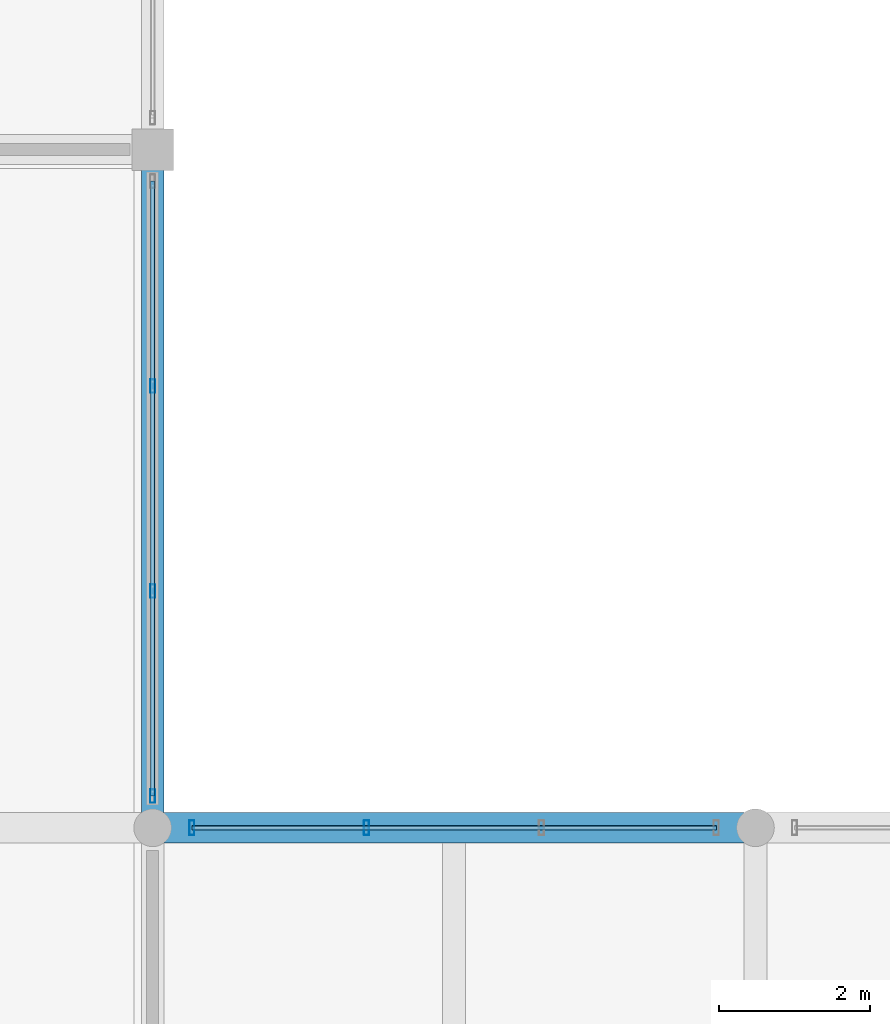
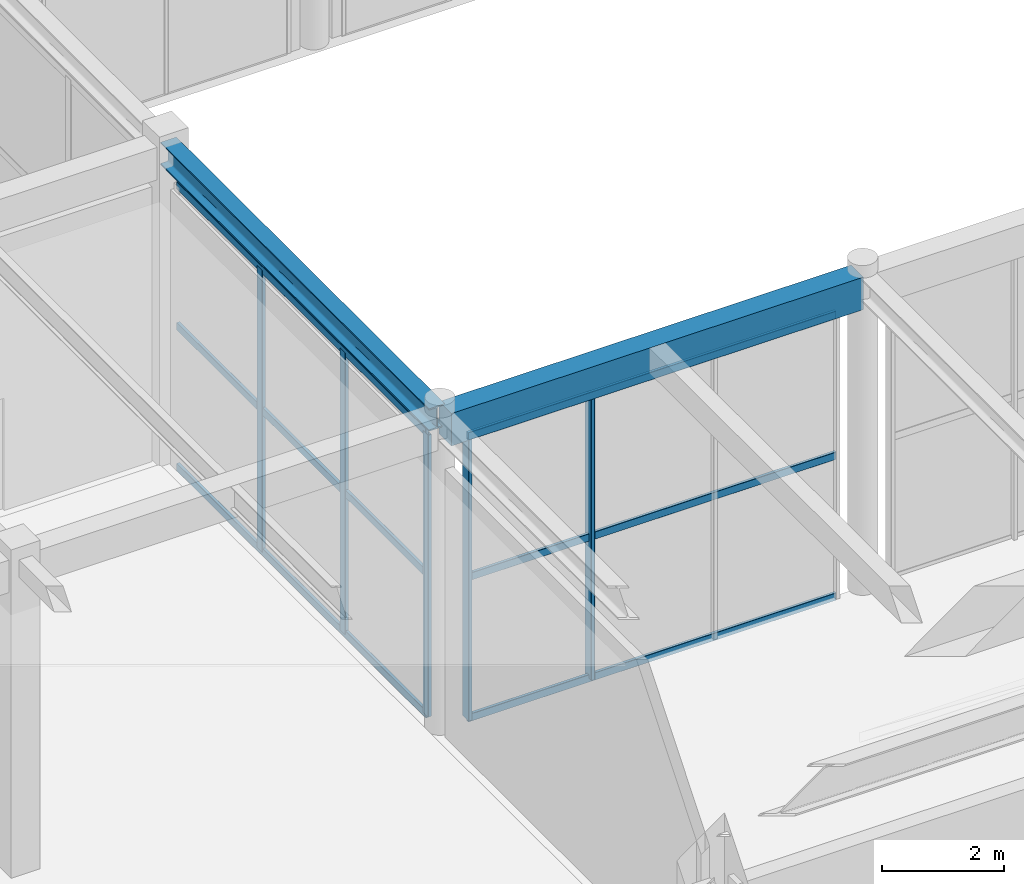
# One storey, part 64 of 163: 11 members, 2 beams, 2 elements without a shape of their own.
"""IFC4 building model written with IfcOpenShell, lengths in metres."""

from ifc_helpers import new_model, si_unit, direction, frame, origin, origin_2d, place, context, subcontext, project, spatial, rectangle, hollow_rectangle, i_section, extrude, material, material_profile, profile_set, type_object, element, aggregate, save


model = new_model("IFC4")

# Units and contexts
model_context = context("Model", 3, precision=1e-05, world=origin(), true_north=direction((0.0, 1.0)))
body_context = subcontext(model_context, "Body", "Model", "MODEL_VIEW")
ifc_project = project(units=[si_unit("LENGTHUNIT", "METRE"), si_unit("AREAUNIT", "SQUARE_METRE"), si_unit("VOLUMEUNIT", "CUBIC_METRE"), si_unit("PLANEANGLEUNIT", "RADIAN"), si_unit("MASSUNIT", "GRAM", prefix="KILO")], contexts=[model_context])

# Site, building, storey
site_placement = place(None, origin())
site = spatial("IfcSite", under=ifc_project, at=site_placement, CompositionType="ELEMENT")
building_placement = place(site_placement, origin())
building = spatial("IfcBuilding", under=site, at=building_placement, Name="Varnabhumi Central Station", CompositionType="ELEMENT")
storey_placement = place(building_placement, frame((0.0, 0.0, 9.60009765625)))
storey = spatial("IfcBuildingStorey", under=building, at=storey_placement, Name="L02", CompositionType="ELEMENT", Elevation=9.60009765625)

# Beams
ifc_material_1 = material(Name="Concrete M40", Category="concrete")
ifc_material_profile_1 = material_profile(ifc_material_1, rectangle(XDim=0.39990234375, YDim=0.64990234375, at=origin_2d()), Name="Concrete M40", Category="concrete")
ifc_profile_set_1 = profile_set([ifc_material_profile_1], Name="Concrete M40")
beam_type_1 = type_object("IfcBeamType", Name="BM-RC-400x650", PredefinedType="BEAM", material=ifc_profile_set_1)
beam_1_placement = place(storey_placement, frame((48.10009765625, 89.0, 6.02490234375), z_axis=(1.0, 0.0, 0.0), x_axis=(0.0, 1.0, 0.0)))
element("IfcBeam", 1, at=beam_1_placement, inside=storey, type_object=beam_type_1, Name="Beam L02-L:7-8", PredefinedType="BEAM", context=body_context, shape_type="SweptSolid", body=[
    extrude(rectangle(XDim=0.39990234375, YDim=0.64990234375, at=origin_2d()), origin(), (0.0, 0.0, 1.0), 7.7998046875),
])
ifc_material_2 = material(Name="Structural steel E350", Category="steel")
ifc_material_profile_2 = material_profile(ifc_material_2, i_section(OverallWidth=0.300048828125, OverallDepth=0.449951171875, WebThickness=0.013916015625, FlangeThickness=0.02587890625, FilletRadius=0.027099609375, at=origin_2d()), Name="Structural steel E350", Category="steel")
ifc_profile_set_2 = profile_set([ifc_material_profile_2], Name="Structural steel E350")
beam_type_2 = type_object("IfcBeamType", Name="BM-STL-WPB450", PredefinedType="BEAM", material=ifc_profile_set_2)
beam_2_placement = place(storey_placement, frame((48.0, 89.10009765625, 6.125), z_axis=(0.0, 1.0, 0.0), x_axis=(-1.0, 0.0, 0.0)))
element("IfcBeam", 2, at=beam_2_placement, inside=storey, type_object=beam_type_2, Name="Beam L02-7:L-M", PredefinedType="BEAM", context=body_context, shape_type="SweptSolid", body=[
    extrude(i_section(OverallWidth=0.300048828125, OverallDepth=0.449951171875, WebThickness=0.013916015625, FlangeThickness=0.02587890625, FilletRadius=0.027099609375, at=origin_2d()), origin(), (0.0, 0.0, 1.0), 8.7998046875),
])

# Curtain wall, members
ifc_material_3 = material(Name="Anodised aluminium 6063-T6", Category="aluminium")
curtain_wall_type = type_object("IfcCurtainWallType", Name="CW-PATIO-LOGGIA-L2", PredefinedType="NOTDEFINED", material=ifc_material_3)
curtain_wall_1_placement = place(storey_placement, origin())
curtain_wall_1 = element("IfcCurtainWall", 3, at=curtain_wall_1_placement, inside=storey, type_object=curtain_wall_type, Name="Curtain Wall CW-NP2E1", PredefinedType="NOTDEFINED")
ifc_material_profile_3 = material_profile(ifc_material_3, hollow_rectangle(XDim=0.06494140625, YDim=0.179931640625, WallThickness=0.00390625, InnerFilletRadius=0.001953125, OuterFilletRadius=0.006103515625, at=origin_2d()), Name="Anodised aluminium 6063-T6", Category="aluminium")
ifc_profile_set_3 = profile_set([ifc_material_profile_3], Name="Anodised aluminium 6063-T6")
member_type_1 = type_object("IfcMemberType", Name="CW-MUL-180", PredefinedType="MULLION", material=ifc_profile_set_3)
member_1_placement = place(storey_placement, frame((48.0, 89.419921875, 0.0), z_axis=(0.0, 0.0, 1.0), x_axis=(1.0, 0.0, 0.0)))
member_1 = element("IfcMember", 4, at=member_1_placement, type_object=member_type_1, Name="Curtain Wall Mullion CW-NP2E1-M1", PredefinedType="MULLION", context=body_context, shape_type="SweptSolid", body=[
    extrude(hollow_rectangle(XDim=0.06494140625, YDim=0.179931640625, WallThickness=0.00390625, InnerFilletRadius=0.001953125, OuterFilletRadius=0.006103515625, at=origin_2d()), origin(), (0.0, 0.0, 1.0), 5.639892578125),
])
member_2_placement = place(storey_placement, frame((48.0, 92.139892578125, 0.0), z_axis=(0.0, 0.0, 1.0), x_axis=(1.0, 0.0, 0.0)))
member_2 = element("IfcMember", 5, at=member_2_placement, type_object=member_type_1, Name="Curtain Wall Mullion CW-NP2E1-M2", PredefinedType="MULLION", context=body_context, shape_type="SweptSolid", body=[
    extrude(hollow_rectangle(XDim=0.06494140625, YDim=0.179931640625, WallThickness=0.00390625, InnerFilletRadius=0.001953125, OuterFilletRadius=0.006103515625, at=origin_2d()), origin(), (0.0, 0.0, 1.0), 5.639892578125),
])
member_3_placement = place(storey_placement, frame((48.0, 94.860107421875, 0.0), z_axis=(0.0, 0.0, 1.0), x_axis=(1.0, 0.0, 0.0)))
member_3 = element("IfcMember", 6, at=member_3_placement, type_object=member_type_1, Name="Curtain Wall Mullion CW-NP2E1-M3", PredefinedType="MULLION", context=body_context, shape_type="SweptSolid", body=[
    extrude(hollow_rectangle(XDim=0.06494140625, YDim=0.179931640625, WallThickness=0.00390625, InnerFilletRadius=0.001953125, OuterFilletRadius=0.006103515625, at=origin_2d()), origin(), (0.0, 0.0, 1.0), 5.639892578125),
])

curtain_wall_2_placement = place(storey_placement, origin())
curtain_wall_2 = element("IfcCurtainWall", 7, at=curtain_wall_2_placement, inside=storey, type_object=curtain_wall_type, Name="Curtain Wall CW-NP2S1", PredefinedType="NOTDEFINED")
ifc_material_profile_4 = material_profile(ifc_material_3, hollow_rectangle(XDim=0.070068359375, YDim=0.199951171875, WallThickness=0.00439453125, InnerFilletRadius=0.00146484375, OuterFilletRadius=0.006103515625, at=origin_2d()), Name="Anodised aluminium 6063-T6", Category="aluminium")
ifc_profile_set_4 = profile_set([ifc_material_profile_4], Name="Anodised aluminium 6063-T6")
member_type_2 = type_object("IfcMemberType", Name="CW-MUL-200", PredefinedType="MULLION", material=ifc_profile_set_4)
member_4_placement = place(storey_placement, frame((48.52001953125, 89.0, 0.0), z_axis=(0.0, 0.0, 1.0), x_axis=(1.0, 0.0, 0.0)))
member_4 = element("IfcMember", 8, at=member_4_placement, type_object=member_type_2, Name="Curtain Wall Mullion CW-NP2S1-M1", PredefinedType="MULLION", context=body_context, shape_type="SweptSolid", body=[
    extrude(hollow_rectangle(XDim=0.070068359375, YDim=0.199951171875, WallThickness=0.00439453125, InnerFilletRadius=0.00146484375, OuterFilletRadius=0.006103515625, at=origin_2d()), origin(), (0.0, 0.0, 1.0), 5.639892578125),
])
member_5_placement = place(storey_placement, frame((50.840087890625, 89.0, 0.0), z_axis=(0.0, 0.0, 1.0), x_axis=(1.0, 0.0, 0.0)))
member_5 = element("IfcMember", 9, at=member_5_placement, type_object=member_type_2, Name="Curtain Wall Mullion CW-NP2S1-M2", PredefinedType="MULLION", context=body_context, shape_type="SweptSolid", body=[
    extrude(hollow_rectangle(XDim=0.070068359375, YDim=0.199951171875, WallThickness=0.00439453125, InnerFilletRadius=0.00146484375, OuterFilletRadius=0.006103515625, at=origin_2d()), origin(), (0.0, 0.0, 1.0), 5.639892578125),
])

# Member
ifc_material_profile_5 = material_profile(ifc_material_3, hollow_rectangle(XDim=0.06005859375, YDim=0.14990234375, WallThickness=0.00390625, InnerFilletRadius=0.001953125, OuterFilletRadius=0.006103515625, at=origin_2d()), Name="Anodised aluminium 6063-T6", Category="aluminium")
ifc_profile_set_5 = profile_set([ifc_material_profile_5], Name="Anodised aluminium 6063-T6")
member_type_3 = type_object("IfcMemberType", Name="CW-TR-150", PredefinedType="USERDEFINED", material=ifc_profile_set_5)
member_6_placement = place(storey_placement, frame((48.0, 89.419921875, 0.0), z_axis=(0.0, 1.0, 0.0), x_axis=(-1.0, 0.0, 0.0)))
member_6 = element("IfcMember", 10, at=member_6_placement, type_object=member_type_3, Name="Curtain Wall Transom CW-NP2E1-T1", ObjectType="TRANSOM", PredefinedType="USERDEFINED", context=body_context, shape_type="SweptSolid", body=[
    extrude(hollow_rectangle(XDim=0.06005859375, YDim=0.14990234375, WallThickness=0.00390625, InnerFilletRadius=0.001953125, OuterFilletRadius=0.006103515625, at=origin_2d()), origin(), (0.0, 0.0, 1.0), 8.16015625),
])

member_7_placement = place(storey_placement, frame((48.0, 89.419921875, 2.81982421875), z_axis=(0.0, 1.0, 0.0), x_axis=(-1.0, 0.0, 0.0)))
member_7 = element("IfcMember", 11, at=member_7_placement, type_object=member_type_3, Name="Curtain Wall Transom CW-NP2E1-T2", ObjectType="TRANSOM", PredefinedType="USERDEFINED", context=body_context, shape_type="SweptSolid", body=[
    extrude(hollow_rectangle(XDim=0.06005859375, YDim=0.14990234375, WallThickness=0.00390625, InnerFilletRadius=0.001953125, OuterFilletRadius=0.006103515625, at=origin_2d()), origin(), (0.0, 0.0, 1.0), 8.16015625),
])

member_8_placement = place(storey_placement, frame((48.0, 89.419921875, 5.639892578125), z_axis=(0.0, 1.0, 0.0), x_axis=(-1.0, 0.0, 0.0)))
member_8 = element("IfcMember", 12, at=member_8_placement, type_object=member_type_3, Name="Curtain Wall Transom CW-NP2E1-T3", ObjectType="TRANSOM", PredefinedType="USERDEFINED", context=body_context, shape_type="SweptSolid", body=[
    extrude(hollow_rectangle(XDim=0.06005859375, YDim=0.14990234375, WallThickness=0.00390625, InnerFilletRadius=0.001953125, OuterFilletRadius=0.006103515625, at=origin_2d()), origin(), (0.0, 0.0, 1.0), 8.16015625),
])

aggregate(curtain_wall_1, [member_1, member_2, member_3, member_6, member_7, member_8])

member_9_placement = place(storey_placement, frame((48.52001953125, 89.0, 0.0), z_axis=(1.0, 0.0, 0.0), x_axis=(0.0, 1.0, 0.0)))
member_9 = element("IfcMember", 13, at=member_9_placement, type_object=member_type_3, Name="Curtain Wall Transom CW-NP2S1-T1", ObjectType="TRANSOM", PredefinedType="USERDEFINED", context=body_context, shape_type="SweptSolid", body=[
    extrude(hollow_rectangle(XDim=0.06005859375, YDim=0.14990234375, WallThickness=0.00390625, InnerFilletRadius=0.001953125, OuterFilletRadius=0.006103515625, at=origin_2d()), origin(), (0.0, 0.0, 1.0), 6.9599609375),
])

member_10_placement = place(storey_placement, frame((48.52001953125, 89.0, 2.81982421875), z_axis=(1.0, 0.0, 0.0), x_axis=(0.0, 1.0, 0.0)))
member_10 = element("IfcMember", 14, at=member_10_placement, type_object=member_type_3, Name="Curtain Wall Transom CW-NP2S1-T2", ObjectType="TRANSOM", PredefinedType="USERDEFINED", context=body_context, shape_type="SweptSolid", body=[
    extrude(hollow_rectangle(XDim=0.06005859375, YDim=0.14990234375, WallThickness=0.00390625, InnerFilletRadius=0.001953125, OuterFilletRadius=0.006103515625, at=origin_2d()), origin(), (0.0, 0.0, 1.0), 6.9599609375),
])

member_11_placement = place(storey_placement, frame((48.52001953125, 89.0, 5.639892578125), z_axis=(1.0, 0.0, 0.0), x_axis=(0.0, 1.0, 0.0)))
member_11 = element("IfcMember", 15, at=member_11_placement, type_object=member_type_3, Name="Curtain Wall Transom CW-NP2S1-T3", ObjectType="TRANSOM", PredefinedType="USERDEFINED", context=body_context, shape_type="SweptSolid", body=[
    extrude(hollow_rectangle(XDim=0.06005859375, YDim=0.14990234375, WallThickness=0.00390625, InnerFilletRadius=0.001953125, OuterFilletRadius=0.006103515625, at=origin_2d()), origin(), (0.0, 0.0, 1.0), 6.9599609375),
])

aggregate(curtain_wall_2, [member_4, member_5, member_9, member_10, member_11])

save(model, "model.ifc")
